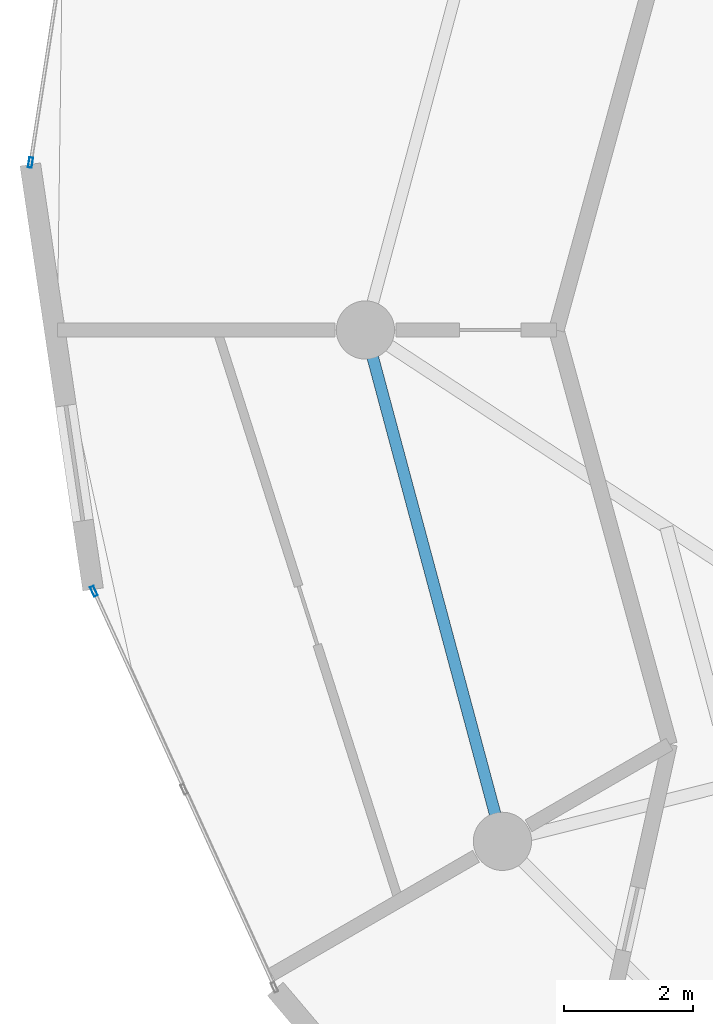
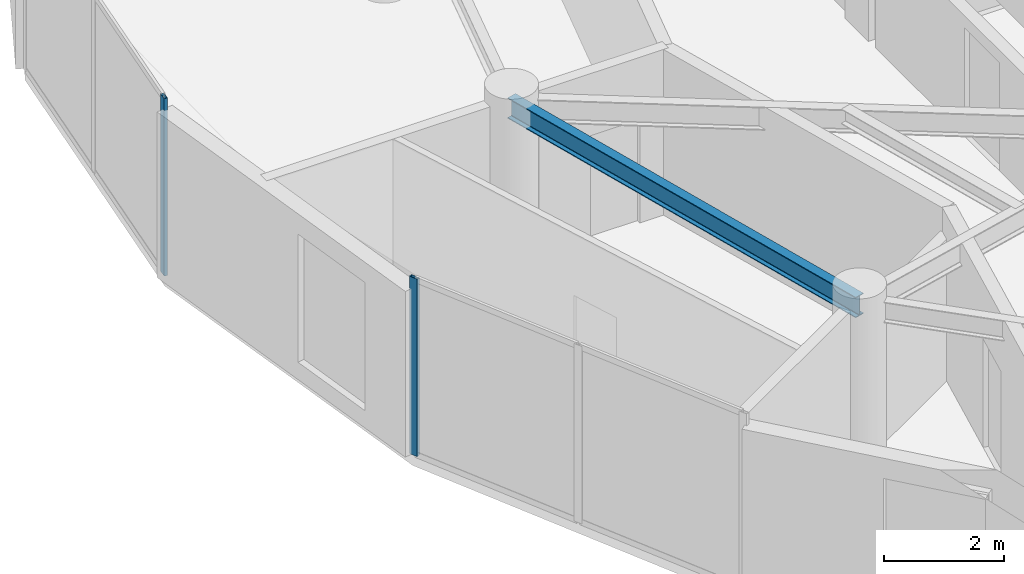
# One storey, part 8 of 24: 2 members, 1 beam, 2 elements without a shape of their own.
"""IFC4 building model written with IfcOpenShell, lengths in metres."""

from ifc_helpers import new_model, si_unit, direction, frame, origin, origin_2d, place, context, subcontext, project, spatial, hollow_rectangle, i_section, extrude, source, transform, mapped, material, layer, layer_set, material_profile, profile_set, type_object, element, aggregate, save


model = new_model("IFC4")

# Units and contexts
model_context = context("Model", 3, precision=1e-05, world=origin(), true_north=direction((0.0, 1.0)))
body_context = subcontext(model_context, "Body", "Model", "MODEL_VIEW")
ifc_project = project(units=[si_unit("LENGTHUNIT", "METRE"), si_unit("AREAUNIT", "SQUARE_METRE"), si_unit("VOLUMEUNIT", "CUBIC_METRE"), si_unit("PLANEANGLEUNIT", "RADIAN"), si_unit("MASSUNIT", "GRAM", prefix="KILO")], contexts=[model_context])

# Site, building, storey
site_placement = place(None, origin())
site = spatial("IfcSite", under=ifc_project, at=site_placement, CompositionType="ELEMENT")
building_placement = place(site_placement, origin())
building = spatial("IfcBuilding", under=site, at=building_placement, Name="Solvirekh Grand Hotel", CompositionType="ELEMENT")
storey_placement = place(building_placement, frame((0.0, 0.0, 184.0)))
storey = spatial("IfcBuildingStorey", under=building, at=storey_placement, Name="L47", CompositionType="ELEMENT", Elevation=184.0)

# Beam
ifc_material_1 = material(Name="Steel S355", Category="steel")
ifc_material_profile_1 = material_profile(ifc_material_1, i_section(OverallWidth=0.180908203125, OverallDepth=0.4169921875, WebThickness=0.010009765625, FlangeThickness=0.01611328125, FilletRadius=0.011962890625, at=origin_2d()), Name="W410X85")
ifc_profile_set_1 = profile_set([ifc_material_profile_1], Name="Steel S355")
beam_type = type_object("IfcBeamType", Name="Spandrel_Ring_W410", PredefinedType="SPANDREL", material=ifc_profile_set_1)
beam_placement = place(storey_placement, frame((-15.800048828125, 0.0, 3.152099609375), z_axis=(0.258838541915, -0.965920601923, 0.0), x_axis=(0.965920601923, 0.258838541915, 0.0)))
element("IfcBeam", 1, at=beam_placement, inside=storey, type_object=beam_type, Name="L47 perimeter spandrel beam 7", PredefinedType="SPANDREL", context=body_context, shape_type="SweptSolid", body=[
    extrude(i_section(OverallWidth=0.180908203125, OverallDepth=0.4169921875, WebThickness=0.010009765625, FlangeThickness=0.01611328125, FilletRadius=0.011962890625, at=origin_2d()), origin(), (0.0, 0.0, 1.0), 8.1787109375),
])

# Curtain wall, member
ifc_material_2 = material(Name="Anodized Bronze Aluminium 6063-T6", Category="aluminium")
ifc_layer = layer(ifc_material_2, 0.159912109375)
ifc_layer_set = layer_set([ifc_layer], Name="Anodized Bronze Aluminium 6063-T6")
curtain_wall_type = type_object("IfcCurtainWallType", Name="CW_Sys4_HighZoneFlushBronzeCW", PredefinedType="NOTDEFINED", material=ifc_layer_set)
curtain_wall_1_placement = place(storey_placement, origin())
curtain_wall_1 = element("IfcCurtainWall", 2, at=curtain_wall_1_placement, inside=storey, type_object=curtain_wall_type, Name="L47 unitised bronze-glass curtain wall CW-L47-C13", PredefinedType="NOTDEFINED")
ifc_material_profile_2 = material_profile(ifc_material_2, hollow_rectangle(XDim=0.06005859375, YDim=0.159912109375, WallThickness=0.0048828125, at=origin_2d()), Name="ALU RHS 160X60X5")
ifc_profile_set_2 = profile_set([ifc_material_profile_2], Name="Anodized Bronze Aluminium 6063-T6")
member_type = type_object("IfcMemberType", Name="CWMullion_Sys4", PredefinedType="MULLION", material=ifc_profile_set_2)
shared_shape = source(origin(), body_context, "Body", "SweptSolid", [
    extrude(hollow_rectangle(XDim=0.06005859375, YDim=0.159912109375, WallThickness=0.0048828125, at=origin_2d()), origin(), (0.0, 0.0, 1.0), 3.60009765625),
])
member_1_placement = place(storey_placement, frame((-20.974365234375, 2.587646484375, 0.0), z_axis=(0.0, 0.0, 1.0), x_axis=(0.988384360076, -0.151974855674, 0.0)))
member_1 = element("IfcMember", 3, at=member_1_placement, type_object=member_type, Name="U04 mullion 3", PredefinedType="MULLION", context=body_context, shape_type="MappedRepresentation", body=[
    mapped(shared_shape, transform((0.0, 0.0, 0.0), x_axis=(1.0, 0.0, 0.0), y_axis=(0.0, 1.0, 0.0), z_axis=(0.0, 0.0, 1.0), scale=1.0)),
])
aggregate(curtain_wall_1, [member_1])

curtain_wall_2_placement = place(storey_placement, origin())
curtain_wall_2 = element("IfcCurtainWall", 4, at=curtain_wall_2_placement, inside=storey, type_object=curtain_wall_type, Name="L47 unitised bronze-glass curtain wall CW-L47-C15", PredefinedType="NOTDEFINED")
member_2_placement = place(storey_placement, frame((-19.99560546875, -4.035400390625, 0.0), z_axis=(0.0, 0.0, 1.0), x_axis=(0.909805379515, 0.415035144784, 0.0)))
member_2 = element("IfcMember", 5, at=member_2_placement, type_object=member_type, Name="U04 mullion 1", PredefinedType="MULLION", context=body_context, shape_type="MappedRepresentation", body=[
    mapped(shared_shape, transform((0.0, 0.0, 0.0), x_axis=(1.0, 0.0, 0.0), y_axis=(0.0, 1.0, 0.0), z_axis=(0.0, 0.0, 1.0), scale=1.0)),
])
aggregate(curtain_wall_2, [member_2])

save(model, "model.ifc")
